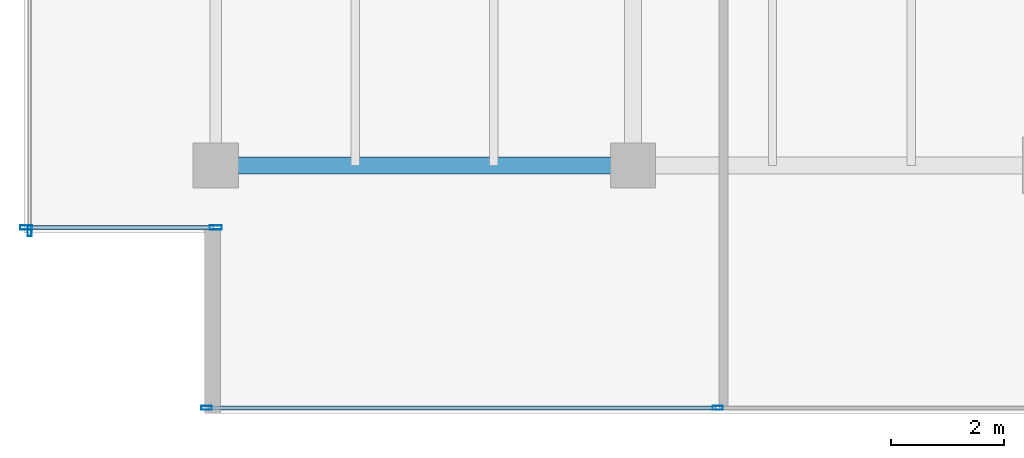
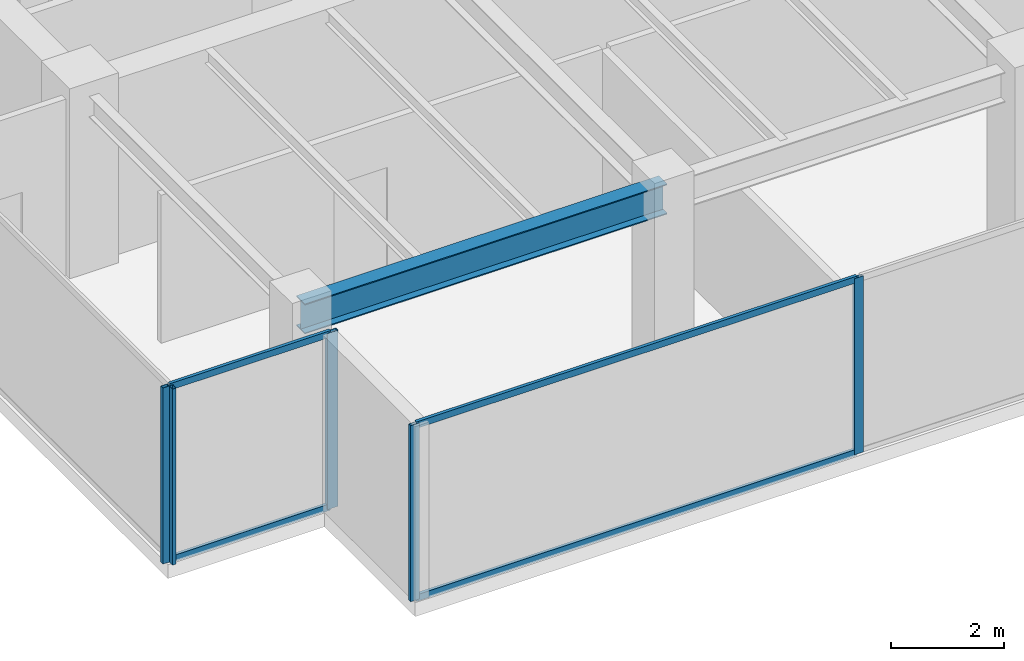
# One storey, part 5 of 33: 9 members, 1 beam, 3 elements without a shape of their own.
"""IFC4 building model written with IfcOpenShell, lengths in metres."""

import ifcopenshell
import ifcopenshell.guid

model = None  # the IFC model being written
_history = None  # IfcOwnerHistory: only IFC2X3 demands one
_inside = {}  # id of a spatial element -> (the spatial element, [elements in it])
_under = {}  # id of a project, library or spatial element -> (it, [spatial elements below it])
_declared = {}  # id of a project -> (the project, [libraries it declares])
_typed = {}  # id of a type object -> (the type object, [elements of that type])
_made_of = {}  # id of a material, layer set ... -> (it, [elements and type objects made of it])


def new_model(schema):
    """Start an empty IFC model of exactly this schema.

    Asked for "IFC4X3", IfcOpenShell would pick the latest addendum, in which some entities
    have other attributes; the version numbers below select the first issue.
    IFC2X3 requires an IfcOwnerHistory on every rooted entity: one is made here for all.
    """
    global model, _history
    if schema == "IFC4X3":
        model = ifcopenshell.file(schema_version=(4, 3, 0, 0))
    else:
        model = ifcopenshell.file(schema=schema)
    _inside.clear()
    _under.clear()
    _declared.clear()
    _typed.clear()
    _made_of.clear()
    _history = None
    if model.schema == "IFC2X3":
        org = make("IfcOrganization", Name="unknown")
        user = make(
            "IfcPersonAndOrganization",
            ThePerson=make("IfcPerson", FamilyName="unknown"),
            TheOrganization=org,
        )
        app = make(
            "IfcApplication",
            ApplicationDeveloper=org,
            Version="unknown",
            ApplicationFullName="unknown",
            ApplicationIdentifier="unknown",
        )
        _history = make(
            "IfcOwnerHistory",
            OwningUser=user,
            OwningApplication=app,
            ChangeAction="ADDED",
            CreationDate=0,
        )
    return model


def make(cls, **values):
    """One entity of the class cls with the attributes given. An attribute that is None is left unset."""
    return model.create_entity(
        cls, **{name: value for name, value in values.items() if value is not None}
    )


def rooted(cls, **values):
    """An entity with a GlobalId (a new one), such as an element, a storey or a relation."""
    return make(cls, GlobalId=ifcopenshell.guid.new(), OwnerHistory=_history, **values)


def si_unit(unit_type, name, prefix=None):
    """IfcSIUnit, for example si_unit("LENGTHUNIT", "METRE", prefix="MILLI")."""
    return make("IfcSIUnit", UnitType=unit_type, Prefix=prefix, Name=name)


def assignment(units):
    """IfcUnitAssignment: the units of a project."""
    return None if units is None else make("IfcUnitAssignment", Units=units)


def point(xyz):
    """IfcCartesianPoint."""
    return None if xyz is None else make("IfcCartesianPoint", Coordinates=xyz)


def direction(xyz):
    """IfcDirection."""
    return None if xyz is None else make("IfcDirection", DirectionRatios=xyz)


def frame(location, z_axis=None, x_axis=None):
    """IfcAxis2Placement3D, a coordinate frame: its origin and axes. An axis left out is left unset."""
    return make(
        "IfcAxis2Placement3D",
        Location=point(location),
        Axis=direction(z_axis),
        RefDirection=direction(x_axis),
    )


def frame_2d(location, x_axis=None):
    """IfcAxis2Placement2D, a coordinate frame in the plane: its origin and x axis."""
    return make(
        "IfcAxis2Placement2D", Location=point(location), RefDirection=direction(x_axis)
    )


def origin():
    """The frame at (0, 0, 0) with its axes left unset."""
    return frame((0.0, 0.0, 0.0))


def origin_2d():
    """The frame at (0, 0) in the plane with its x axis left unset."""
    return frame_2d((0.0, 0.0))


def place(relative_to, where):
    """IfcLocalPlacement: puts the frame where relative to a parent placement (None: the world)."""
    return make(
        "IfcLocalPlacement", PlacementRelTo=relative_to, RelativePlacement=where
    )


def context(
    kind, dimensions, precision=None, world=None, true_north=None, identifier=None
):
    """IfcGeometricRepresentationContext, for example the 3D "Model" context."""
    return make(
        "IfcGeometricRepresentationContext",
        ContextIdentifier=identifier,
        ContextType=kind,
        CoordinateSpaceDimension=dimensions,
        Precision=precision,
        WorldCoordinateSystem=world,
        TrueNorth=true_north,
    )


def subcontext(parent, identifier, kind, view, scale=None):
    """IfcGeometricRepresentationSubContext, for example "Body" below "Model"."""
    return make(
        "IfcGeometricRepresentationSubContext",
        ContextIdentifier=identifier,
        ContextType=kind,
        ParentContext=parent,
        TargetScale=scale,
        TargetView=view,
    )


def project(units=None, contexts=None):
    """IfcProject with its units and contexts."""
    return rooted(
        "IfcProject",
        Name="project",
        RepresentationContexts=contexts,
        UnitsInContext=assignment(units),
    )


def spatial(cls, under=None, at=None, **own):
    """A site, building, storey or space (cls), placed at a placement, below another one or the project."""
    s = rooted(cls, ObjectPlacement=at, **own)
    if under is not None:
        _under.setdefault(under.id(), (under, []))[1].append(s)
    return s


def profile(cls, at=None, kind="AREA", **sizes):
    """A parametric profile (cls). Its sizes go by their IFC names, for example OverallWidth=200.0."""
    return make(cls, ProfileType=kind, Position=at, **sizes)


def hollow_rectangle(**sizes):
    """IfcRectangleHollowProfileDef."""
    return profile("IfcRectangleHollowProfileDef", **sizes)


def i_section(**sizes):
    """IfcIShapeProfileDef."""
    return profile("IfcIShapeProfileDef", **sizes)


def extrude(swept, where, along, depth):
    """IfcExtrudedAreaSolid: the profile swept, set in the frame where, extruded along a direction by depth."""
    return make(
        "IfcExtrudedAreaSolid",
        SweptArea=swept,
        Position=where,
        ExtrudedDirection=direction(along),
        Depth=depth,
    )


def shape(context_of_items, identifier, shape_type, items):
    """IfcShapeRepresentation: the items that make up one representation, for example the "Body"."""
    return make(
        "IfcShapeRepresentation",
        ContextOfItems=context_of_items,
        RepresentationIdentifier=identifier,
        RepresentationType=shape_type,
        Items=items,
    )


def source(mapping_origin, context_of_items, identifier, shape_type, items):
    """IfcRepresentationMap: a shape defined once, which mapped items show again and again."""
    return make(
        "IfcRepresentationMap",
        MappingOrigin=mapping_origin,
        MappedRepresentation=shape(context_of_items, identifier, shape_type, items),
    )


def transform(
    local_origin,
    x_axis=None,
    y_axis=None,
    z_axis=None,
    scale=None,
    scale2=None,
    scale3=None,
    uniform=True,
):
    """IfcCartesianTransformationOperator3D, or its non-uniform kind. x_axis, y_axis, z_axis: its Axis1, 2, 3."""
    if uniform:
        return make(
            "IfcCartesianTransformationOperator3D",
            Axis1=direction(x_axis),
            Axis2=direction(y_axis),
            LocalOrigin=point(local_origin),
            Scale=scale,
            Axis3=direction(z_axis),
        )
    return make(
        "IfcCartesianTransformationOperator3DnonUniform",
        Axis1=direction(x_axis),
        Axis2=direction(y_axis),
        LocalOrigin=point(local_origin),
        Scale=scale,
        Axis3=direction(z_axis),
        Scale2=scale2,
        Scale3=scale3,
    )


def mapped(mapping_source, mapping_target):
    """IfcMappedItem: shows the shape of a source again, moved by a transform."""
    return make(
        "IfcMappedItem", MappingSource=mapping_source, MappingTarget=mapping_target
    )


def material(Name=None, Category=None):
    """IfcMaterial."""
    return make("IfcMaterial", Name=Name, Category=Category)


def layer(
    of_material, thickness, ventilated=None, Name=None, Category=None, Priority=None
):
    """IfcMaterialLayer: one layer of a wall or slab, of a material (None: an air gap)."""
    return make(
        "IfcMaterialLayer",
        Material=of_material,
        LayerThickness=thickness,
        IsVentilated=ventilated,
        Name=Name,
        Category=Category,
        Priority=Priority,
    )


def layer_set(layers, Name=None):
    """IfcMaterialLayerSet."""
    return make("IfcMaterialLayerSet", MaterialLayers=layers, LayerSetName=Name)


def material_profile(
    of_material, cross_section, Name=None, Category=None, Priority=None
):
    """IfcMaterialProfile: a cross section and its material."""
    return make(
        "IfcMaterialProfile",
        Name=Name,
        Material=of_material,
        Profile=cross_section,
        Priority=Priority,
        Category=Category,
    )


def profile_set(profiles, Name=None, composite=None):
    """IfcMaterialProfileSet."""
    return make(
        "IfcMaterialProfileSet",
        Name=Name,
        MaterialProfiles=profiles,
        CompositeProfile=composite,
    )


def made_of(thing, what):
    """Note that an element or type object is made of a material, layer set ...; save() writes the relation."""
    if what is not None:
        _made_of.setdefault(what.id(), (what, []))[1].append(thing)
    return thing


def type_object(cls, material=None, **own):
    """A type object (cls), such as IfcWallType, which elements share."""
    return made_of(rooted(cls, **own), material)


def type_shapes(of_type, sources):
    """Give a type object the sources (RepresentationMaps) that its elements show as mapped items."""
    of_type.RepresentationMaps = sources


def element(
    cls,
    number,
    at=None,
    inside=None,
    cuts=None,
    type_object=None,
    material=None,
    context=None,
    identifier="Body",
    shape_type=None,
    held_by="IfcProductDefinitionShape",
    body=None,
    shapes=None,
    **own,
):
    """One element of the class cls, such as IfcWall. Its Tag is "e" and its number.

    at: its placement. inside: the storey or other place that contains it. cuts: it is an
    opening in that element (IfcRelVoidsElement). A single representation is given by context,
    identifier, shape_type and body (its items); several are given by shapes. held_by: the class
    of the entity that holds the representations. save() writes the other relations.
    """
    e = rooted(cls, Tag="e%d" % number, ObjectPlacement=at, **own)
    if body is not None:
        shapes = [shape(context, identifier, shape_type, body)]
    if shapes is not None:
        e.Representation = make(held_by, Representations=shapes)
    if inside is not None:
        _inside.setdefault(inside.id(), (inside, []))[1].append(e)
    if cuts is not None:
        rooted(
            "IfcRelVoidsElement", RelatingBuildingElement=cuts, RelatedOpeningElement=e
        )
    if type_object is not None:
        _typed.setdefault(type_object.id(), (type_object, []))[1].append(e)
    return made_of(e, material)


def aggregate(whole, parts):
    """IfcRelAggregates: a whole, such as a stair, and the parts it consists of."""
    return rooted("IfcRelAggregates", RelatingObject=whole, RelatedObjects=parts)


def save(model, path):
    """Write the relations noted so far, then the file.

    IfcRelAggregates (storeys below a building ...), IfcRelContainedInSpatialStructure (elements
    in a storey), IfcRelDefinesByType, IfcRelAssociatesMaterial and IfcRelDeclares: one each for
    every whole, place, type object, material and project.
    """
    for whole, parts in _under.values():
        aggregate(whole, parts)
    for where, things in _inside.values():
        rooted(
            "IfcRelContainedInSpatialStructure",
            RelatedElements=things,
            RelatingStructure=where,
        )
    for kind, things in _typed.values():
        rooted("IfcRelDefinesByType", RelatedObjects=things, RelatingType=kind)
    for what, things in _made_of.values():
        rooted("IfcRelAssociatesMaterial", RelatedObjects=things, RelatingMaterial=what)
    for by, libraries in _declared.values():
        rooted("IfcRelDeclares", RelatingContext=by, RelatedDefinitions=libraries)
    model.write(path)


model = new_model("IFC4")

# Units and contexts
model_context = context("Model", 3, precision=1e-05, world=origin(), true_north=direction((0.0, 1.0)))
body_context = subcontext(model_context, "Body", "Model", "MODEL_VIEW")
ifc_project = project(units=[si_unit("LENGTHUNIT", "METRE"), si_unit("AREAUNIT", "SQUARE_METRE"), si_unit("VOLUMEUNIT", "CUBIC_METRE"), si_unit("PLANEANGLEUNIT", "RADIAN"), si_unit("MASSUNIT", "GRAM", prefix="KILO")], contexts=[model_context])

# Site, building, storey
site_placement = place(None, origin())
site = spatial("IfcSite", under=ifc_project, at=site_placement, CompositionType="ELEMENT")
building_placement = place(site_placement, origin())
building = spatial("IfcBuilding", under=site, at=building_placement, Name="Haelvirn Gate Laboratories", CompositionType="ELEMENT")
storey_placement = place(building_placement, frame((0.0, 0.0, 217.800048828125)))
storey = spatial("IfcBuildingStorey", under=building, at=storey_placement, Name="L52", CompositionType="ELEMENT", Elevation=217.800048828125)

# Beam
ifc_material_1 = material(Name="Steel SM355", Category="steel")
ifc_material_profile_1 = material_profile(ifc_material_1, i_section(OverallWidth=0.300048828125, OverallDepth=0.64990234375, WebThickness=0.012939453125, FlangeThickness=0.02197265625, at=origin_2d()), Name="H-650x300x13x22")
ifc_profile_set_1 = profile_set([ifc_material_profile_1], Name="Steel SM355")
beam_type = type_object("IfcBeamType", Name="BM-G-650", PredefinedType="BEAM", material=ifc_profile_set_1)
shared_shape_1 = source(origin(), body_context, "Body", "SweptSolid", [
    extrude(i_section(OverallWidth=0.300048828125, OverallDepth=0.64990234375, WebThickness=0.012939453125, FlangeThickness=0.02197265625, at=origin_2d()), origin(), (0.0, 0.0, 1.0), 7.400146484375),
])
type_shapes(beam_type, [shared_shape_1])
beam_placement = place(storey_placement, frame((7.39990234375, 7.0, 3.474853515625), z_axis=(1.0, 0.0, 0.0), x_axis=(0.0, 1.0, 0.0)))
element("IfcBeam", 1, at=beam_placement, inside=storey, type_object=beam_type, Name="L52 Primary Girder Y7.0 (7.4-14.8)", PredefinedType="BEAM", context=body_context, shape_type="MappedRepresentation", body=[
    mapped(shared_shape_1, transform((0.0, 0.0, 0.0), scale=1.0)),
])

# Curtain wall, members
ifc_material_2 = material(Name="Anodised bronze unitised aluminium & triple low-E glass", Category="aluminium")
ifc_layer_1 = layer(ifc_material_2, 0.181884765625, Name="CW-SYS-5")
ifc_layer_set_1 = layer_set([ifc_layer_1], Name="Anodised bronze unitised aluminium & triple low-E glass")
curtain_wall_type_1 = type_object("IfcCurtainWallType", Name="CW-SYS-5", PredefinedType="NOTDEFINED", material=ifc_layer_set_1)
curtain_wall_1_placement = place(storey_placement, origin())
curtain_wall_1 = element("IfcCurtainWall", 2, at=curtain_wall_1_placement, inside=storey, type_object=curtain_wall_type_1, Name="L52 Unitised Curtain Wall CW-L52-P0-E18-1", PredefinedType="NOTDEFINED")
ifc_material_3 = material(Name="Extruded aluminium 6063-T6 (anodised bronze)", Category="aluminium")
ifc_material_profile_2 = material_profile(ifc_material_3, hollow_rectangle(XDim=0.06494140625, YDim=0.139892578125, WallThickness=0.00390625, at=origin_2d()), Name="CWT-140x65x4")
ifc_profile_set_2 = profile_set([ifc_material_profile_2], Name="Extruded aluminium 6063-T6 (anodised bronze)")
member_type_1 = type_object("IfcMemberType", Name="CWT-T140", PredefinedType="USERDEFINED", material=ifc_profile_set_2)
shared_shape_2 = source(origin(), body_context, "Body", "SweptSolid", [
    extrude(hollow_rectangle(XDim=0.06494140625, YDim=0.139892578125, WallThickness=0.00390625, at=origin_2d()), origin(), (0.0, 0.0, 1.0), 3.280029296875),
])
member_1_placement = place(storey_placement, frame((4.080078125, 5.89990234375, 0.032470703125), z_axis=(1.0, 0.0, 0.0), x_axis=(0.0, 1.0, 0.0)))
member_1 = element("IfcMember", 3, at=member_1_placement, type_object=member_type_1, Name="CW5 transom 1.1", ObjectType="TRANSOM", PredefinedType="USERDEFINED", context=body_context, shape_type="MappedRepresentation", body=[
    mapped(shared_shape_2, transform((0.0, 0.0, 0.0), scale=1.0)),
])
member_2_placement = place(storey_placement, frame((4.080078125, 5.89990234375, 3.767333984375), z_axis=(1.0, 0.0, 0.0), x_axis=(0.0, 1.0, 0.0)))
member_2 = element("IfcMember", 4, at=member_2_placement, type_object=member_type_1, Name="CW5 transom 1.2", ObjectType="TRANSOM", PredefinedType="USERDEFINED", context=body_context, shape_type="MappedRepresentation", body=[
    mapped(shared_shape_2, transform((0.0, 0.0, 0.0), scale=1.0)),
])

ifc_layer_2 = layer(ifc_material_2, 0.176025390625, Name="CW-SYS-4")
ifc_layer_set_2 = layer_set([ifc_layer_2], Name="Anodised bronze unitised aluminium & triple low-E glass")
curtain_wall_type_2 = type_object("IfcCurtainWallType", Name="CW-SYS-4", PredefinedType="NOTDEFINED", material=ifc_layer_set_2)
curtain_wall_2_placement = place(storey_placement, origin())
curtain_wall_2 = element("IfcCurtainWall", 5, at=curtain_wall_2_placement, inside=storey, type_object=curtain_wall_type_2, Name="L52 Unitised Curtain Wall CW-L52-P0-E00-1", PredefinedType="NOTDEFINED")
ifc_material_profile_3 = material_profile(ifc_material_3, hollow_rectangle(XDim=0.070068359375, YDim=0.179931640625, WallThickness=0.0048828125, at=origin_2d()), Name="CWM-180x70x5")
ifc_profile_set_3 = profile_set([ifc_material_profile_3], Name="Extruded aluminium 6063-T6 (anodised bronze)")
member_type_2 = type_object("IfcMemberType", Name="CWM-T180", PredefinedType="MULLION", material=ifc_profile_set_3)
shared_shape_3 = source(origin(), body_context, "Body", "SweptSolid", [
    extrude(hollow_rectangle(XDim=0.070068359375, YDim=0.179931640625, WallThickness=0.0048828125, at=origin_2d()), origin(), (0.0, 0.0, 1.0), 3.800048828125),
])
type_shapes(member_type_2, [shared_shape_3])
member_3_placement = place(storey_placement, frame((7.235107421875, 2.699951171875, 0.0), z_axis=(0.0, 0.0, 1.0), x_axis=(0.0, 1.0, 0.0)))
member_3 = element("IfcMember", 6, at=member_3_placement, type_object=member_type_2, Name="CW4 mullion 1", PredefinedType="MULLION", context=body_context, shape_type="MappedRepresentation", body=[
    mapped(shared_shape_3, transform((0.0, 0.0, 0.0), scale=1.0)),
])
member_4_placement = place(storey_placement, frame((16.300048828125, 2.699951171875, 0.0), z_axis=(0.0, 0.0, 1.0), x_axis=(0.0, 1.0, 0.0)))
member_4 = element("IfcMember", 7, at=member_4_placement, type_object=member_type_2, Name="CW4 mullion 2", PredefinedType="MULLION", context=body_context, shape_type="MappedRepresentation", body=[
    mapped(shared_shape_3, transform((0.0, 0.0, 0.0), scale=1.0)),
])

# Curtain wall, member
curtain_wall_3_placement = place(storey_placement, origin())
curtain_wall_3 = element("IfcCurtainWall", 8, at=curtain_wall_3_placement, inside=storey, type_object=curtain_wall_type_2, Name="L52 Unitised Curtain Wall CW-L52-P0-E17", PredefinedType="NOTDEFINED")
member_5_placement = place(storey_placement, frame((4.10009765625, 5.8349609375, 0.0), z_axis=(0.0, 0.0, 1.0), x_axis=(1.0, 0.0, 0.0)))
member_5 = element("IfcMember", 9, at=member_5_placement, type_object=member_type_2, Name="CW4 mullion 3", PredefinedType="MULLION", context=body_context, shape_type="MappedRepresentation", body=[
    mapped(shared_shape_3, transform((0.0, 0.0, 0.0), scale=1.0)),
])
aggregate(curtain_wall_3, [member_5])

# Member
shared_shape_4 = source(origin(), body_context, "Body", "SweptSolid", [
    extrude(hollow_rectangle(XDim=0.06494140625, YDim=0.139892578125, WallThickness=0.00390625, at=origin_2d()), origin(), (0.0, 0.0, 1.0), 8.994873046875),
])
type_shapes(member_type_1, [shared_shape_2, shared_shape_4])
member_6_placement = place(storey_placement, frame((7.27001953125, 2.699951171875, 0.032470703125), z_axis=(1.0, 0.0, 0.0), x_axis=(0.0, 1.0, 0.0)))
member_6 = element("IfcMember", 10, at=member_6_placement, type_object=member_type_1, Name="CW4 transom 1.1", ObjectType="TRANSOM", PredefinedType="USERDEFINED", context=body_context, shape_type="MappedRepresentation", body=[
    mapped(shared_shape_4, transform((0.0, 0.0, 0.0), scale=1.0)),
])

member_7_placement = place(storey_placement, frame((7.27001953125, 2.699951171875, 3.767333984375), z_axis=(1.0, 0.0, 0.0), x_axis=(0.0, 1.0, 0.0)))
member_7 = element("IfcMember", 11, at=member_7_placement, type_object=member_type_1, Name="CW4 transom 1.2", ObjectType="TRANSOM", PredefinedType="USERDEFINED", context=body_context, shape_type="MappedRepresentation", body=[
    mapped(shared_shape_4, transform((0.0, 0.0, 0.0), scale=1.0)),
])

aggregate(curtain_wall_2, [member_3, member_4, member_6, member_7])

ifc_material_profile_4 = material_profile(ifc_material_3, hollow_rectangle(XDim=0.080078125, YDim=0.219970703125, WallThickness=0.006103515625, at=origin_2d()), Name="CWM-220x80x6")
ifc_profile_set_4 = profile_set([ifc_material_profile_4], Name="Extruded aluminium 6063-T6 (anodised bronze)")
member_type_3 = type_object("IfcMemberType", Name="CWM-T220", PredefinedType="MULLION", material=ifc_profile_set_4)
shared_shape_5 = source(origin(), body_context, "Body", "SweptSolid", [
    extrude(hollow_rectangle(XDim=0.080078125, YDim=0.219970703125, WallThickness=0.006103515625, at=origin_2d()), origin(), (0.0, 0.0, 1.0), 3.800048828125),
])
type_shapes(member_type_3, [shared_shape_5])
member_8_placement = place(storey_placement, frame((4.0400390625, 5.89990234375, 0.0), z_axis=(0.0, 0.0, 1.0), x_axis=(0.0, 1.0, 0.0)))
member_8 = element("IfcMember", 12, at=member_8_placement, type_object=member_type_3, Name="CW5 mullion 1", PredefinedType="MULLION", context=body_context, shape_type="MappedRepresentation", body=[
    mapped(shared_shape_5, transform((0.0, 0.0, 0.0), scale=1.0)),
])

member_9_placement = place(storey_placement, frame((7.39990234375, 5.89990234375, 0.0), z_axis=(0.0, 0.0, 1.0), x_axis=(0.0, 1.0, 0.0)))
member_9 = element("IfcMember", 13, at=member_9_placement, type_object=member_type_3, Name="CW5 mullion 2", PredefinedType="MULLION", context=body_context, shape_type="MappedRepresentation", body=[
    mapped(shared_shape_5, transform((0.0, 0.0, 0.0), scale=1.0)),
])

aggregate(curtain_wall_1, [member_8, member_9, member_1, member_2])

save(model, "model.ifc")
